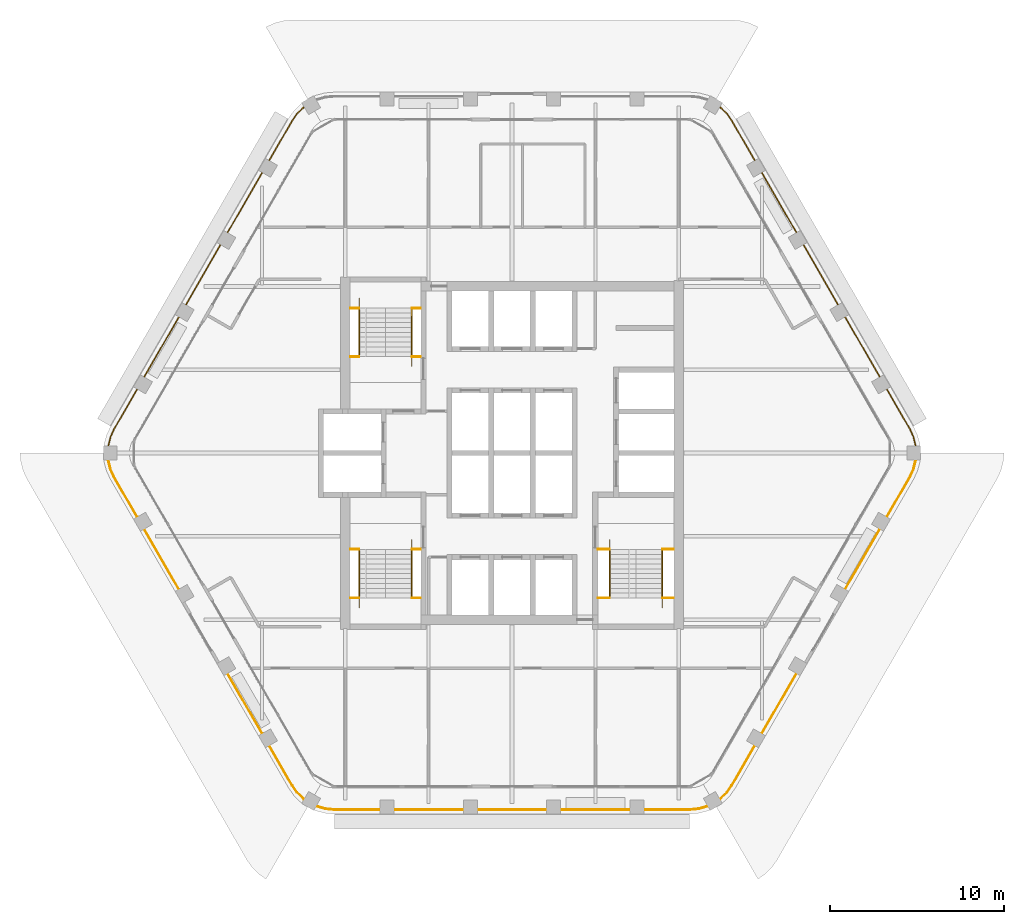
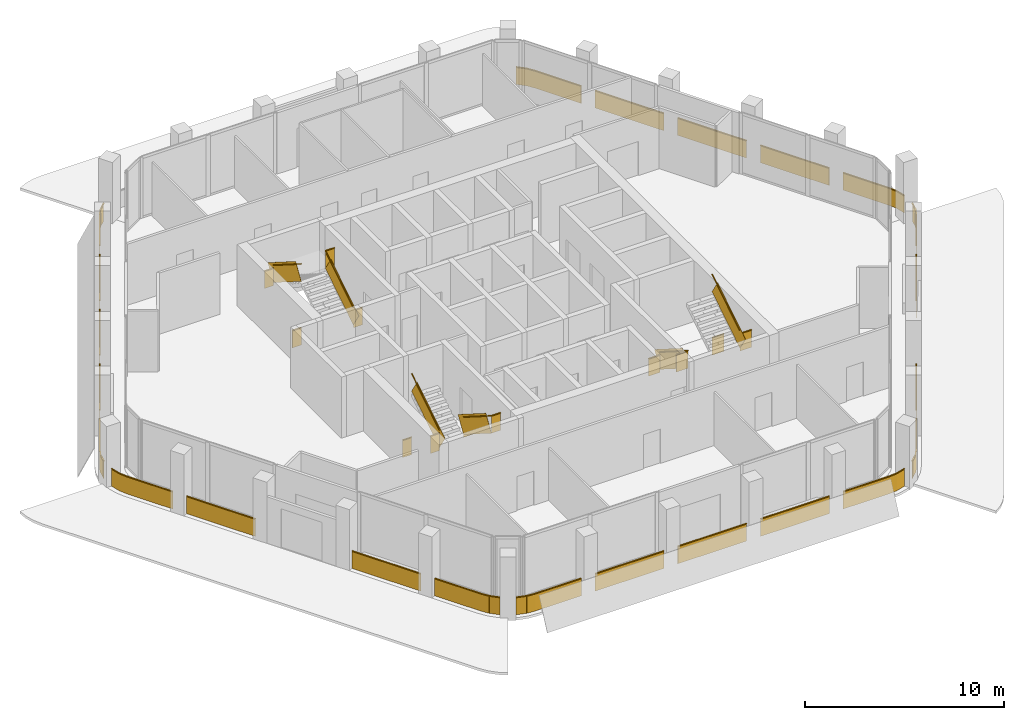
# One storey, part 13 of 14: 11 railings.
"""IFC4 building model written with IfcOpenShell, lengths in metres."""

from ifc_helpers import new_model, si_unit, direction, frame, frame_2d, origin, origin_2d, place, context, subcontext, project, spatial, rectangle, extrude, material, type_object, element, save


model = new_model("IFC4")

# Units and contexts
model_context = context("Model", 3, precision=1e-05, world=origin(), true_north=direction((0.0, 1.0)))
body_context = subcontext(model_context, "Body", "Model", "MODEL_VIEW")
ifc_project = project(units=[si_unit("LENGTHUNIT", "METRE"), si_unit("AREAUNIT", "SQUARE_METRE"), si_unit("VOLUMEUNIT", "CUBIC_METRE"), si_unit("PLANEANGLEUNIT", "RADIAN"), si_unit("MASSUNIT", "GRAM", prefix="KILO")], contexts=[model_context])

# Site, building, storey
site_placement = place(None, origin())
site = spatial("IfcSite", under=ifc_project, at=site_placement, CompositionType="ELEMENT")
building_placement = place(site_placement, origin())
building = spatial("IfcBuilding", under=site, at=building_placement, Name="Kolab Exchange Tower", CompositionType="ELEMENT")
storey_placement = place(building_placement, frame((0.0, 0.0, 222.800048828125)))
storey = spatial("IfcBuildingStorey", under=building, at=storey_placement, Name="L48", CompositionType="ELEMENT", Elevation=222.800048828125)

# Railings
ifc_material_1 = material(Name="Stainless steel 316", Category="steel")
railing_type_1 = type_object("IfcRailingType", Name="GUARD 1100", PredefinedType="GUARDRAIL", material=ifc_material_1)
railing_1_placement = place(storey_placement, frame((-9.324951171875, 5.550048828125, 0.0)))
element("IfcRailing", 1, at=railing_1_placement, inside=storey, type_object=railing_type_1, Name="Guard ST1", PredefinedType="GUARDRAIL", context=body_context, shape_type="SweptSolid", body=[
    extrude(rectangle(XDim=0.05, YDim=0.05, at=origin_2d()), frame((0.0, 0.0, 1.0751953125), z_axis=(1.0, 0.0, 0.0), x_axis=(0.0, 1.0, 0.0)), (0.0, 0.0, 1.0), 0.52734375),
    extrude(rectangle(XDim=0.012, YDim=1.05009765625, at=frame_2d((0.0, 0.525146484375))), frame((0.0, 0.0, 0.0), z_axis=(1.0, 0.0, 0.0), x_axis=(0.0, 1.0, 0.0)), (0.0, 0.0, 1.0), 0.52734375),
    extrude(rectangle(XDim=0.05, YDim=0.05, at=origin_2d()), frame((3.54736328125, 0.0, 1.0751953125), z_axis=(1.0, 0.0, 0.0), x_axis=(0.0, 1.0, 0.0)), (0.0, 0.0, 1.0), 0.527587890625),
    extrude(rectangle(XDim=0.012, YDim=1.05009765625, at=frame_2d((0.0, 0.525146484375))), frame((3.54736328125, 0.0, 0.0), z_axis=(1.0, 0.0, 0.0), x_axis=(0.0, 1.0, 0.0)), (0.0, 0.0, 1.0), 0.527587890625),
    extrude(rectangle(XDim=0.05, YDim=0.05, at=origin_2d()), frame((0.0, 2.800048828125, 3.025146484375), z_axis=(1.0, 0.0, 0.0), x_axis=(0.0, 1.0, 0.0)), (0.0, 0.0, 1.0), 0.52734375),
    extrude(rectangle(XDim=0.012, YDim=1.05009765625, at=frame_2d((0.0, 0.525146484375))), frame((0.0, 2.800048828125, 1.949951171875), z_axis=(1.0, 0.0, 0.0), x_axis=(0.0, 1.0, 0.0)), (0.0, 0.0, 1.0), 0.52734375),
    extrude(rectangle(XDim=0.05, YDim=0.05, at=origin_2d()), frame((3.54736328125, 2.800048828125, 3.025146484375), z_axis=(1.0, 0.0, 0.0), x_axis=(0.0, 1.0, 0.0)), (0.0, 0.0, 1.0), 0.527587890625),
    extrude(rectangle(XDim=0.012, YDim=1.05009765625, at=frame_2d((0.0, 0.525146484375))), frame((3.54736328125, 2.800048828125, 1.949951171875), z_axis=(1.0, 0.0, 0.0), x_axis=(0.0, 1.0, 0.0)), (0.0, 0.0, 1.0), 0.527587890625),
])
railing_2_placement = place(storey_placement, frame((-5.777587890625, 5.550048828125, 0.17724609375)))
element("IfcRailing", 2, at=railing_2_placement, inside=storey, type_object=railing_type_1, Name="Handrail guard ST1", PredefinedType="GUARDRAIL", context=body_context, shape_type="SweptSolid", body=[
    extrude(rectangle(XDim=0.05, YDim=0.05, at=origin_2d()), frame((0.0, 0.0, 1.0751953125), z_axis=(0.0, 0.844908973607, 0.534910110503), x_axis=(-1.0, 0.0, 0.0)), (0.0, 0.0, 1.0), 3.31396484375),
    extrude(rectangle(XDim=0.012, YDim=1.05009765625, at=frame_2d((0.0, 0.525146484375))), frame((0.0, 0.0, 0.0), z_axis=(0.0, 0.844908973607, 0.534910110503), x_axis=(-1.0, 0.0, 0.0)), (0.0, 0.0, 1.0), 3.31396484375),
    extrude(rectangle(XDim=0.05, YDim=0.05, at=origin_2d()), frame((-3.02001953125, 2.800048828125, 3.025146484375), z_axis=(0.0, -0.844908973607, 0.534910110503), x_axis=(1.0, 0.0, 0.0)), (0.0, 0.0, 1.0), 3.31396484375),
    extrude(rectangle(XDim=0.012, YDim=1.05009765625, at=frame_2d((0.0, 0.525146484375))), frame((-3.02001953125, 2.800048828125, 1.949951171875), z_axis=(0.0, -0.844908973607, 0.534910110503), x_axis=(1.0, 0.0, 0.0)), (0.0, 0.0, 1.0), 3.31396484375),
])
railing_3_placement = place(storey_placement, frame((-9.324951171875, -5.550048828125, 0.0)))
element("IfcRailing", 3, at=railing_3_placement, inside=storey, type_object=railing_type_1, Name="Guard ST3", PredefinedType="GUARDRAIL", context=body_context, shape_type="SweptSolid", body=[
    extrude(rectangle(XDim=0.05, YDim=0.05, at=origin_2d()), frame((0.0, 0.0, 1.0751953125), z_axis=(1.0, 0.0, 0.0), x_axis=(0.0, 1.0, 0.0)), (0.0, 0.0, 1.0), 0.52734375),
    extrude(rectangle(XDim=0.012, YDim=1.05009765625, at=frame_2d((0.0, 0.525146484375))), frame((0.0, 0.0, 0.0), z_axis=(1.0, 0.0, 0.0), x_axis=(0.0, 1.0, 0.0)), (0.0, 0.0, 1.0), 0.52734375),
    extrude(rectangle(XDim=0.05, YDim=0.05, at=origin_2d()), frame((3.54736328125, 0.0, 1.0751953125), z_axis=(1.0, 0.0, 0.0), x_axis=(0.0, 1.0, 0.0)), (0.0, 0.0, 1.0), 0.527587890625),
    extrude(rectangle(XDim=0.012, YDim=1.05009765625, at=frame_2d((0.0, 0.525146484375))), frame((3.54736328125, 0.0, 0.0), z_axis=(1.0, 0.0, 0.0), x_axis=(0.0, 1.0, 0.0)), (0.0, 0.0, 1.0), 0.527587890625),
    extrude(rectangle(XDim=0.05, YDim=0.05, at=origin_2d()), frame((0.0, -2.800048828125, 3.025146484375), z_axis=(1.0, 0.0, 0.0), x_axis=(0.0, 1.0, 0.0)), (0.0, 0.0, 1.0), 0.52734375),
    extrude(rectangle(XDim=0.012, YDim=1.05009765625, at=frame_2d((0.0, 0.525146484375))), frame((0.0, -2.800048828125, 1.949951171875), z_axis=(1.0, 0.0, 0.0), x_axis=(0.0, 1.0, 0.0)), (0.0, 0.0, 1.0), 0.52734375),
    extrude(rectangle(XDim=0.05, YDim=0.05, at=origin_2d()), frame((3.54736328125, -2.800048828125, 3.025146484375), z_axis=(1.0, 0.0, 0.0), x_axis=(0.0, 1.0, 0.0)), (0.0, 0.0, 1.0), 0.527587890625),
    extrude(rectangle(XDim=0.012, YDim=1.05009765625, at=frame_2d((0.0, 0.525146484375))), frame((3.54736328125, -2.800048828125, 1.949951171875), z_axis=(1.0, 0.0, 0.0), x_axis=(0.0, 1.0, 0.0)), (0.0, 0.0, 1.0), 0.527587890625),
])
railing_4_placement = place(storey_placement, frame((-5.777587890625, -5.550048828125, 0.17724609375)))
element("IfcRailing", 4, at=railing_4_placement, inside=storey, type_object=railing_type_1, Name="Handrail guard ST3", PredefinedType="GUARDRAIL", context=body_context, shape_type="SweptSolid", body=[
    extrude(rectangle(XDim=0.05, YDim=0.05, at=origin_2d()), frame((0.0, 0.0, 1.0751953125), z_axis=(0.0, -0.844908973607, 0.534910110503), x_axis=(1.0, 0.0, 0.0)), (0.0, 0.0, 1.0), 3.31396484375),
    extrude(rectangle(XDim=0.012, YDim=1.05009765625, at=frame_2d((0.0, 0.525146484375))), frame((0.0, 0.0, 0.0), z_axis=(0.0, -0.844908973607, 0.534910110503), x_axis=(1.0, 0.0, 0.0)), (0.0, 0.0, 1.0), 3.31396484375),
    extrude(rectangle(XDim=0.05, YDim=0.05, at=origin_2d()), frame((-3.02001953125, -2.800048828125, 3.025146484375), z_axis=(0.0, 0.844908973607, 0.534910110503), x_axis=(-1.0, 0.0, 0.0)), (0.0, 0.0, 1.0), 3.31396484375),
    extrude(rectangle(XDim=0.012, YDim=1.05009765625, at=frame_2d((0.0, 0.525146484375))), frame((-3.02001953125, -2.800048828125, 1.949951171875), z_axis=(0.0, 0.844908973607, 0.534910110503), x_axis=(-1.0, 0.0, 0.0)), (0.0, 0.0, 1.0), 3.31396484375),
])
railing_5_placement = place(storey_placement, frame((4.949951171875, -5.550048828125, 0.0)))
element("IfcRailing", 5, at=railing_5_placement, inside=storey, type_object=railing_type_1, Name="Guard ST2", PredefinedType="GUARDRAIL", context=body_context, shape_type="SweptSolid", body=[
    extrude(rectangle(XDim=0.05, YDim=0.05, at=origin_2d()), frame((0.0, 0.0, 1.0751953125), z_axis=(1.0, 0.0, 0.0), x_axis=(0.0, 1.0, 0.0)), (0.0, 0.0, 1.0), 0.677490234375),
    extrude(rectangle(XDim=0.012, YDim=1.05009765625, at=frame_2d((0.0, 0.525146484375))), frame((0.0, 0.0, 0.0), z_axis=(1.0, 0.0, 0.0), x_axis=(0.0, 1.0, 0.0)), (0.0, 0.0, 1.0), 0.677490234375),
    extrude(rectangle(XDim=0.05, YDim=0.05, at=origin_2d()), frame((3.697509765625, 0.0, 1.0751953125), z_axis=(1.0, 0.0, 0.0), x_axis=(0.0, 1.0, 0.0)), (0.0, 0.0, 1.0), 0.677490234375),
    extrude(rectangle(XDim=0.012, YDim=1.05009765625, at=frame_2d((0.0, 0.525146484375))), frame((3.697509765625, 0.0, 0.0), z_axis=(1.0, 0.0, 0.0), x_axis=(0.0, 1.0, 0.0)), (0.0, 0.0, 1.0), 0.677490234375),
    extrude(rectangle(XDim=0.05, YDim=0.05, at=origin_2d()), frame((0.0, -2.800048828125, 3.025146484375), z_axis=(1.0, 0.0, 0.0), x_axis=(0.0, 1.0, 0.0)), (0.0, 0.0, 1.0), 0.677490234375),
    extrude(rectangle(XDim=0.012, YDim=1.05009765625, at=frame_2d((0.0, 0.525146484375))), frame((0.0, -2.800048828125, 1.949951171875), z_axis=(1.0, 0.0, 0.0), x_axis=(0.0, 1.0, 0.0)), (0.0, 0.0, 1.0), 0.677490234375),
    extrude(rectangle(XDim=0.05, YDim=0.05, at=origin_2d()), frame((3.697509765625, -2.800048828125, 3.025146484375), z_axis=(1.0, 0.0, 0.0), x_axis=(0.0, 1.0, 0.0)), (0.0, 0.0, 1.0), 0.677490234375),
    extrude(rectangle(XDim=0.012, YDim=1.05009765625, at=frame_2d((0.0, 0.525146484375))), frame((3.697509765625, -2.800048828125, 1.949951171875), z_axis=(1.0, 0.0, 0.0), x_axis=(0.0, 1.0, 0.0)), (0.0, 0.0, 1.0), 0.677490234375),
])
railing_6_placement = place(storey_placement, frame((5.62744140625, -5.550048828125, 0.17724609375)))
element("IfcRailing", 6, at=railing_6_placement, inside=storey, type_object=railing_type_1, Name="Handrail guard ST2", PredefinedType="GUARDRAIL", context=body_context, shape_type="SweptSolid", body=[
    extrude(rectangle(XDim=0.05, YDim=0.05, at=origin_2d()), frame((0.0, 0.0, 1.0751953125), z_axis=(0.0, -0.844908973607, 0.534910110503), x_axis=(1.0, 0.0, 0.0)), (0.0, 0.0, 1.0), 3.31396484375),
    extrude(rectangle(XDim=0.012, YDim=1.05009765625, at=frame_2d((0.0, 0.525146484375))), frame((0.0, 0.0, 0.0), z_axis=(0.0, -0.844908973607, 0.534910110503), x_axis=(1.0, 0.0, 0.0)), (0.0, 0.0, 1.0), 3.31396484375),
    extrude(rectangle(XDim=0.05, YDim=0.05, at=origin_2d()), frame((3.02001953125, -2.800048828125, 3.025146484375), z_axis=(0.0, 0.844908973607, 0.534910110503), x_axis=(-1.0, 0.0, 0.0)), (0.0, 0.0, 1.0), 3.31396484375),
    extrude(rectangle(XDim=0.012, YDim=1.05009765625, at=frame_2d((0.0, 0.525146484375))), frame((3.02001953125, -2.800048828125, 1.949951171875), z_axis=(0.0, 0.844908973607, 0.534910110503), x_axis=(-1.0, 0.0, 0.0)), (0.0, 0.0, 1.0), 3.31396484375),
])
ifc_material_2 = material(Name="Steel S235", Category="steel")
railing_type_2 = type_object("IfcRailingType", Name="GUARD 1100 GLASS BALUSTRADE AND STEEL TOP RAIL", PredefinedType="GUARDRAIL", material=ifc_material_2)
railing_7_placement = place(storey_placement, frame((23.2509765625, 0.3984375, 0.0)))
element("IfcRailing", 7, at=railing_7_placement, inside=storey, type_object=railing_type_2, Name="Guard", PredefinedType="GUARDRAIL", context=body_context, shape_type="SweptSolid", body=[
    extrude(rectangle(XDim=0.05, YDim=0.05, at=origin_2d()), frame((0.0, 0.0, 1.0751953125), z_axis=(-0.234597748196, 0.972092534968, 0.0), x_axis=(-0.972092534968, -0.234597748196, 0.0)), (0.0, 0.0, 1.0), 0.557861328125),
    extrude(rectangle(XDim=0.012, YDim=1.05009765625, at=frame_2d((0.0, 0.525146484375))), frame((0.0, 0.0, 0.0), z_axis=(-0.234597748196, 0.972092534968, 0.0), x_axis=(-0.972092534968, -0.234597748196, 0.0)), (0.0, 0.0, 1.0), 0.557861328125),
    extrude(rectangle(XDim=0.05, YDim=0.05, at=origin_2d()), frame((-0.130859375, 0.542236328125, 1.0751953125), z_axis=(-0.422801802984, 0.906222177721, 0.0), x_axis=(-0.906222177721, -0.422801802984, 0.0)), (0.0, 0.0, 1.0), 0.479248046875),
    extrude(rectangle(XDim=0.012, YDim=1.05009765625, at=frame_2d((0.0, 0.525146484375))), frame((-0.130859375, 0.542236328125, 0.0), z_axis=(-0.422801802984, 0.906222177721, 0.0), x_axis=(-0.906222177721, -0.422801802984, 0.0)), (0.0, 0.0, 1.0), 0.479248046875),
    extrude(rectangle(XDim=0.05, YDim=0.05, at=origin_2d()), frame((-0.33349609375, 0.9765625, 1.0751953125), z_axis=(-0.499997052475, 0.866027105532, 0.0), x_axis=(-0.866027105532, -0.499997052475, 0.0)), (0.0, 0.0, 1.0), 2.66796875),
    extrude(rectangle(XDim=0.012, YDim=1.05009765625, at=frame_2d((0.0, 0.525146484375))), frame((-0.33349609375, 0.9765625, 0.0), z_axis=(-0.499997052475, 0.866027105532, 0.0), x_axis=(-0.866027105532, -0.499997052475, 0.0)), (0.0, 0.0, 1.0), 2.66796875),
    extrude(rectangle(XDim=0.05, YDim=0.05, at=origin_2d()), frame((-2.0673828125, 3.97998046875, 1.0751953125), z_axis=(-0.49999894854, 0.866026010844, 0.0), x_axis=(-0.866026010844, -0.49999894854, 0.0)), (0.0, 0.0, 1.0), 4.0),
    extrude(rectangle(XDim=0.012, YDim=1.05009765625, at=frame_2d((0.0, 0.525146484375))), frame((-2.0673828125, 3.97998046875, 0.0), z_axis=(-0.49999894854, 0.866026010844, 0.0), x_axis=(-0.866026010844, -0.49999894854, 0.0)), (0.0, 0.0, 1.0), 4.0),
    extrude(rectangle(XDim=0.05, YDim=0.05, at=origin_2d()), frame((-4.467529296875, 8.13671875, 1.0751953125), z_axis=(-0.49999894854, 0.866026010844, 0.0), x_axis=(-0.866026010844, -0.49999894854, 0.0)), (0.0, 0.0, 1.0), 4.0),
    extrude(rectangle(XDim=0.012, YDim=1.05009765625, at=frame_2d((0.0, 0.525146484375))), frame((-4.467529296875, 8.13671875, 0.0), z_axis=(-0.49999894854, 0.866026010844, 0.0), x_axis=(-0.866026010844, -0.49999894854, 0.0)), (0.0, 0.0, 1.0), 4.0),
    extrude(rectangle(XDim=0.05, YDim=0.05, at=origin_2d()), frame((-6.867431640625, 12.293701171875, 1.0751953125), z_axis=(-0.49999894854, 0.866026010844, 0.0), x_axis=(-0.866026010844, -0.49999894854, 0.0)), (0.0, 0.0, 1.0), 4.0),
    extrude(rectangle(XDim=0.012, YDim=1.05009765625, at=frame_2d((0.0, 0.525146484375))), frame((-6.867431640625, 12.293701171875, 0.0), z_axis=(-0.49999894854, 0.866026010844, 0.0), x_axis=(-0.866026010844, -0.49999894854, 0.0)), (0.0, 0.0, 1.0), 4.0),
    extrude(rectangle(XDim=0.05, YDim=0.05, at=origin_2d()), frame((-9.267578125, 16.45068359375, 1.0751953125), z_axis=(-0.499997052475, 0.866027105532, 0.0), x_axis=(-0.866027105532, -0.499997052475, 0.0)), (0.0, 0.0, 1.0), 2.66796875),
    extrude(rectangle(XDim=0.012, YDim=1.05009765625, at=frame_2d((0.0, 0.525146484375))), frame((-9.267578125, 16.45068359375, 0.0), z_axis=(-0.499997052475, 0.866027105532, 0.0), x_axis=(-0.866027105532, -0.499997052475, 0.0)), (0.0, 0.0, 1.0), 2.66796875),
    extrude(rectangle(XDim=0.05, YDim=0.05, at=origin_2d()), frame((-10.6015625, 18.76123046875, 1.0751953125), z_axis=(-0.573599091554, 0.819136180478, 0.0), x_axis=(-0.819136180478, -0.573599091554, 0.0)), (0.0, 0.0, 1.0), 0.479248046875),
    extrude(rectangle(XDim=0.012, YDim=1.05009765625, at=frame_2d((0.0, 0.525146484375))), frame((-10.6015625, 18.76123046875, 0.0), z_axis=(-0.573599091554, 0.819136180478, 0.0), x_axis=(-0.819136180478, -0.573599091554, 0.0)), (0.0, 0.0, 1.0), 0.479248046875),
    extrude(rectangle(XDim=0.05, YDim=0.05, at=origin_2d()), frame((-10.87646484375, 19.15380859375, 1.0751953125), z_axis=(-0.724189990991, 0.689600505327, 0.0), x_axis=(-0.689600505327, -0.724189990991, 0.0)), (0.0, 0.0, 1.0), 0.5576171875),
    extrude(rectangle(XDim=0.012, YDim=1.05009765625, at=frame_2d((0.0, 0.525146484375))), frame((-10.87646484375, 19.15380859375, 0.0), z_axis=(-0.724189990991, 0.689600505327, 0.0), x_axis=(-0.689600505327, -0.724189990991, 0.0)), (0.0, 0.0, 1.0), 0.5576171875),
])
railing_8_placement = place(storey_placement, frame((11.970703125, -19.936767578125, 0.0)))
element("IfcRailing", 8, at=railing_8_placement, inside=storey, type_object=railing_type_2, Name="Guard", PredefinedType="GUARDRAIL", context=body_context, shape_type="SweptSolid", body=[
    extrude(rectangle(XDim=0.05, YDim=0.05, at=origin_2d()), frame((0.0, 0.0, 1.0751953125), z_axis=(0.724189990991, 0.689600505327, 0.0), x_axis=(-0.689600505327, 0.724189990991, 0.0)), (0.0, 0.0, 1.0), 0.5576171875),
    extrude(rectangle(XDim=0.012, YDim=1.05009765625, at=frame_2d((0.0, 0.525146484375))), frame((0.0, 0.0, 0.0), z_axis=(0.724189990991, 0.689600505327, 0.0), x_axis=(-0.689600505327, 0.724189990991, 0.0)), (0.0, 0.0, 1.0), 0.5576171875),
    extrude(rectangle(XDim=0.05, YDim=0.05, at=origin_2d()), frame((0.40380859375, 0.384521484375, 1.0751953125), z_axis=(0.573599091554, 0.819136180478, 0.0), x_axis=(-0.819136180478, 0.573599091554, 0.0)), (0.0, 0.0, 1.0), 0.479248046875),
    extrude(rectangle(XDim=0.012, YDim=1.05009765625, at=frame_2d((0.0, 0.525146484375))), frame((0.40380859375, 0.384521484375, 0.0), z_axis=(0.573599091554, 0.819136180478, 0.0), x_axis=(-0.819136180478, 0.573599091554, 0.0)), (0.0, 0.0, 1.0), 0.479248046875),
    extrude(rectangle(XDim=0.05, YDim=0.05, at=origin_2d()), frame((0.6787109375, 0.777099609375, 1.0751953125), z_axis=(0.499997052475, 0.866027105532, 0.0), x_axis=(-0.866027105532, 0.499997052475, 0.0)), (0.0, 0.0, 1.0), 2.66796875),
    extrude(rectangle(XDim=0.012, YDim=1.05009765625, at=frame_2d((0.0, 0.525146484375))), frame((0.6787109375, 0.777099609375, 0.0), z_axis=(0.499997052475, 0.866027105532, 0.0), x_axis=(-0.866027105532, 0.499997052475, 0.0)), (0.0, 0.0, 1.0), 2.66796875),
    extrude(rectangle(XDim=0.05, YDim=0.05, at=origin_2d()), frame((2.412841796875, 3.780517578125, 1.0751953125), z_axis=(0.49999894854, 0.866026010844, 0.0), x_axis=(-0.866026010844, 0.49999894854, 0.0)), (0.0, 0.0, 1.0), 4.0),
    extrude(rectangle(XDim=0.012, YDim=1.05009765625, at=frame_2d((0.0, 0.525146484375))), frame((2.412841796875, 3.780517578125, 0.0), z_axis=(0.49999894854, 0.866026010844, 0.0), x_axis=(-0.866026010844, 0.49999894854, 0.0)), (0.0, 0.0, 1.0), 4.0),
    extrude(rectangle(XDim=0.05, YDim=0.05, at=origin_2d()), frame((7.212890625, 12.09423828125, 1.0751953125), z_axis=(0.49999894854, 0.866026010844, 0.0), x_axis=(-0.866026010844, 0.49999894854, 0.0)), (0.0, 0.0, 1.0), 4.0),
    extrude(rectangle(XDim=0.012, YDim=1.05009765625, at=frame_2d((0.0, 0.525146484375))), frame((7.212890625, 12.09423828125, 0.0), z_axis=(0.49999894854, 0.866026010844, 0.0), x_axis=(-0.866026010844, 0.49999894854, 0.0)), (0.0, 0.0, 1.0), 4.0),
    extrude(rectangle(XDim=0.05, YDim=0.05, at=origin_2d()), frame((9.61279296875, 16.251220703125, 1.0751953125), z_axis=(0.499997052475, 0.866027105532, 0.0), x_axis=(-0.866027105532, 0.499997052475, 0.0)), (0.0, 0.0, 1.0), 2.66796875),
    extrude(rectangle(XDim=0.012, YDim=1.05009765625, at=frame_2d((0.0, 0.525146484375))), frame((9.61279296875, 16.251220703125, 0.0), z_axis=(0.499997052475, 0.866027105532, 0.0), x_axis=(-0.866027105532, 0.499997052475, 0.0)), (0.0, 0.0, 1.0), 2.66796875),
    extrude(rectangle(XDim=0.05, YDim=0.05, at=origin_2d()), frame((10.94677734375, 18.561767578125, 1.0751953125), z_axis=(0.422801802984, 0.906222177721, 0.0), x_axis=(-0.906222177721, 0.422801802984, 0.0)), (0.0, 0.0, 1.0), 0.479248046875),
    extrude(rectangle(XDim=0.012, YDim=1.05009765625, at=frame_2d((0.0, 0.525146484375))), frame((10.94677734375, 18.561767578125, 0.0), z_axis=(0.422801802984, 0.906222177721, 0.0), x_axis=(-0.906222177721, 0.422801802984, 0.0)), (0.0, 0.0, 1.0), 0.479248046875),
    extrude(rectangle(XDim=0.05, YDim=0.05, at=origin_2d()), frame((11.1494140625, 18.99609375, 1.0751953125), z_axis=(0.234597748196, 0.972092534968, 0.0), x_axis=(-0.972092534968, 0.234597748196, 0.0)), (0.0, 0.0, 1.0), 0.557861328125),
    extrude(rectangle(XDim=0.012, YDim=1.05009765625, at=frame_2d((0.0, 0.525146484375))), frame((11.1494140625, 18.99609375, 0.0), z_axis=(0.234597748196, 0.972092534968, 0.0), x_axis=(-0.972092534968, 0.234597748196, 0.0)), (0.0, 0.0, 1.0), 0.557861328125),
])
railing_9_placement = place(storey_placement, frame((-11.280517578125, -20.335205078125, 0.0)))
element("IfcRailing", 9, at=railing_9_placement, inside=storey, type_object=railing_type_2, Name="Guard", PredefinedType="GUARDRAIL", context=body_context, shape_type="SweptSolid", body=[
    extrude(rectangle(XDim=0.05, YDim=0.05, at=origin_2d()), frame((0.0, 0.0, 1.0751953125), z_axis=(0.959212061764, -0.282687496304, 0.0), x_axis=(0.282687496304, 0.959212061764, 0.0)), (0.0, 0.0, 1.0), 0.557861328125),
    extrude(rectangle(XDim=0.012, YDim=1.05009765625, at=frame_2d((0.0, 0.525146484375))), frame((0.0, 0.0, 0.0), z_axis=(0.959212061764, -0.282687496304, 0.0), x_axis=(0.282687496304, 0.959212061764, 0.0)), (0.0, 0.0, 1.0), 0.557861328125),
    extrude(rectangle(XDim=0.05, YDim=0.05, at=origin_2d()), frame((0.53515625, -0.15771484375, 1.0751953125), z_axis=(0.996196482496, -0.087135344505, 0.0), x_axis=(0.087135344505, 0.996196482496, 0.0)), (0.0, 0.0, 1.0), 0.47900390625),
    extrude(rectangle(XDim=0.012, YDim=1.05009765625, at=frame_2d((0.0, 0.525146484375))), frame((0.53515625, -0.15771484375, 0.0), z_axis=(0.996196482496, -0.087135344505, 0.0), x_axis=(0.087135344505, 0.996196482496, 0.0)), (0.0, 0.0, 1.0), 0.47900390625),
    extrude(rectangle(XDim=0.05, YDim=0.05, at=origin_2d()), frame((1.012451171875, -0.199462890625, 1.0751953125), z_axis=(1.0, 0.0, 0.0), x_axis=(0.0, 1.0, 0.0)), (0.0, 0.0, 1.0), 2.66796875),
    extrude(rectangle(XDim=0.012, YDim=1.05009765625, at=frame_2d((0.0, 0.525146484375))), frame((1.012451171875, -0.199462890625, 0.0), z_axis=(1.0, 0.0, 0.0), x_axis=(0.0, 1.0, 0.0)), (0.0, 0.0, 1.0), 2.66796875),
    extrude(rectangle(XDim=0.05, YDim=0.05, at=origin_2d()), frame((4.48046875, -0.199462890625, 1.0751953125), z_axis=(1.0, 0.0, 0.0), x_axis=(0.0, 1.0, 0.0)), (0.0, 0.0, 1.0), 4.0),
    extrude(rectangle(XDim=0.012, YDim=1.05009765625, at=frame_2d((0.0, 0.525146484375))), frame((4.48046875, -0.199462890625, 0.0), z_axis=(1.0, 0.0, 0.0), x_axis=(0.0, 1.0, 0.0)), (0.0, 0.0, 1.0), 4.0),
    extrude(rectangle(XDim=0.05, YDim=0.05, at=origin_2d()), frame((9.280517578125, -0.199462890625, 1.0751953125), z_axis=(1.0, 0.0, 0.0), x_axis=(0.0, 1.0, 0.0)), (0.0, 0.0, 1.0), 4.0),
    extrude(rectangle(XDim=0.012, YDim=1.05009765625, at=frame_2d((0.0, 0.525146484375))), frame((9.280517578125, -0.199462890625, 0.0), z_axis=(1.0, 0.0, 0.0), x_axis=(0.0, 1.0, 0.0)), (0.0, 0.0, 1.0), 4.0),
    extrude(rectangle(XDim=0.05, YDim=0.05, at=origin_2d()), frame((14.08056640625, -0.199462890625, 1.0751953125), z_axis=(1.0, 0.0, 0.0), x_axis=(0.0, 1.0, 0.0)), (0.0, 0.0, 1.0), 4.0),
    extrude(rectangle(XDim=0.012, YDim=1.05009765625, at=frame_2d((0.0, 0.525146484375))), frame((14.08056640625, -0.199462890625, 0.0), z_axis=(1.0, 0.0, 0.0), x_axis=(0.0, 1.0, 0.0)), (0.0, 0.0, 1.0), 4.0),
    extrude(rectangle(XDim=0.05, YDim=0.05, at=origin_2d()), frame((18.880615234375, -0.199462890625, 1.0751953125), z_axis=(1.0, 0.0, 0.0), x_axis=(0.0, 1.0, 0.0)), (0.0, 0.0, 1.0), 2.66796875),
    extrude(rectangle(XDim=0.012, YDim=1.05009765625, at=frame_2d((0.0, 0.525146484375))), frame((18.880615234375, -0.199462890625, 0.0), z_axis=(1.0, 0.0, 0.0), x_axis=(0.0, 1.0, 0.0)), (0.0, 0.0, 1.0), 2.66796875),
    extrude(rectangle(XDim=0.05, YDim=0.05, at=origin_2d()), frame((21.548583984375, -0.199462890625, 1.0751953125), z_axis=(0.996196482496, 0.087135344505, 0.0), x_axis=(-0.087135344505, 0.996196482496, 0.0)), (0.0, 0.0, 1.0), 0.47900390625),
    extrude(rectangle(XDim=0.012, YDim=1.05009765625, at=frame_2d((0.0, 0.525146484375))), frame((21.548583984375, -0.199462890625, 0.0), z_axis=(0.996196482496, 0.087135344505, 0.0), x_axis=(-0.087135344505, 0.996196482496, 0.0)), (0.0, 0.0, 1.0), 0.47900390625),
    extrude(rectangle(XDim=0.05, YDim=0.05, at=origin_2d()), frame((22.02587890625, -0.15771484375, 1.0751953125), z_axis=(0.959212061764, 0.282687496304, 0.0), x_axis=(-0.282687496304, 0.959212061764, 0.0)), (0.0, 0.0, 1.0), 0.557861328125),
    extrude(rectangle(XDim=0.012, YDim=1.05009765625, at=frame_2d((0.0, 0.525146484375))), frame((22.02587890625, -0.15771484375, 0.0), z_axis=(0.959212061764, 0.282687496304, 0.0), x_axis=(-0.282687496304, 0.959212061764, 0.0)), (0.0, 0.0, 1.0), 0.557861328125),
])
railing_10_placement = place(storey_placement, frame((-23.2509765625, -0.3984375, 0.0)))
element("IfcRailing", 10, at=railing_10_placement, inside=storey, type_object=railing_type_2, Name="Guard", PredefinedType="GUARDRAIL", context=body_context, shape_type="SweptSolid", body=[
    extrude(rectangle(XDim=0.05, YDim=0.05, at=origin_2d()), frame((0.0, 0.0, 1.0751953125), z_axis=(0.234597748196, -0.972092534968, 0.0), x_axis=(0.972092534968, 0.234597748196, 0.0)), (0.0, 0.0, 1.0), 0.557861328125),
    extrude(rectangle(XDim=0.012, YDim=1.05009765625, at=frame_2d((0.0, 0.525146484375))), frame((0.0, 0.0, 0.0), z_axis=(0.234597748196, -0.972092534968, 0.0), x_axis=(0.972092534968, 0.234597748196, 0.0)), (0.0, 0.0, 1.0), 0.557861328125),
    extrude(rectangle(XDim=0.05, YDim=0.05, at=origin_2d()), frame((0.130859375, -0.542236328125, 1.0751953125), z_axis=(0.422801802984, -0.906222177721, 0.0), x_axis=(0.906222177721, 0.422801802984, 0.0)), (0.0, 0.0, 1.0), 0.479248046875),
    extrude(rectangle(XDim=0.012, YDim=1.05009765625, at=frame_2d((0.0, 0.525146484375))), frame((0.130859375, -0.542236328125, 0.0), z_axis=(0.422801802984, -0.906222177721, 0.0), x_axis=(0.906222177721, 0.422801802984, 0.0)), (0.0, 0.0, 1.0), 0.479248046875),
    extrude(rectangle(XDim=0.05, YDim=0.05, at=origin_2d()), frame((0.33349609375, -0.9765625, 1.0751953125), z_axis=(0.499997052475, -0.866027105532, 0.0), x_axis=(0.866027105532, 0.499997052475, 0.0)), (0.0, 0.0, 1.0), 2.66796875),
    extrude(rectangle(XDim=0.012, YDim=1.05009765625, at=frame_2d((0.0, 0.525146484375))), frame((0.33349609375, -0.9765625, 0.0), z_axis=(0.499997052475, -0.866027105532, 0.0), x_axis=(0.866027105532, 0.499997052475, 0.0)), (0.0, 0.0, 1.0), 2.66796875),
    extrude(rectangle(XDim=0.05, YDim=0.05, at=origin_2d()), frame((2.0673828125, -3.97998046875, 1.0751953125), z_axis=(0.49999894854, -0.866026010844, 0.0), x_axis=(0.866026010844, 0.49999894854, 0.0)), (0.0, 0.0, 1.0), 4.0),
    extrude(rectangle(XDim=0.012, YDim=1.05009765625, at=frame_2d((0.0, 0.525146484375))), frame((2.0673828125, -3.97998046875, 0.0), z_axis=(0.49999894854, -0.866026010844, 0.0), x_axis=(0.866026010844, 0.49999894854, 0.0)), (0.0, 0.0, 1.0), 4.0),
    extrude(rectangle(XDim=0.05, YDim=0.05, at=origin_2d()), frame((6.867431640625, -12.293701171875, 1.0751953125), z_axis=(0.49999894854, -0.866026010844, 0.0), x_axis=(0.866026010844, 0.49999894854, 0.0)), (0.0, 0.0, 1.0), 4.0),
    extrude(rectangle(XDim=0.012, YDim=1.05009765625, at=frame_2d((0.0, 0.525146484375))), frame((6.867431640625, -12.293701171875, 0.0), z_axis=(0.49999894854, -0.866026010844, 0.0), x_axis=(0.866026010844, 0.49999894854, 0.0)), (0.0, 0.0, 1.0), 4.0),
    extrude(rectangle(XDim=0.05, YDim=0.05, at=origin_2d()), frame((9.267578125, -16.45068359375, 1.0751953125), z_axis=(0.499997052475, -0.866027105532, 0.0), x_axis=(0.866027105532, 0.499997052475, 0.0)), (0.0, 0.0, 1.0), 2.66796875),
    extrude(rectangle(XDim=0.012, YDim=1.05009765625, at=frame_2d((0.0, 0.525146484375))), frame((9.267578125, -16.45068359375, 0.0), z_axis=(0.499997052475, -0.866027105532, 0.0), x_axis=(0.866027105532, 0.499997052475, 0.0)), (0.0, 0.0, 1.0), 2.66796875),
    extrude(rectangle(XDim=0.05, YDim=0.05, at=origin_2d()), frame((10.6015625, -18.76123046875, 1.0751953125), z_axis=(0.573599091554, -0.819136180478, 0.0), x_axis=(0.819136180478, 0.573599091554, 0.0)), (0.0, 0.0, 1.0), 0.479248046875),
    extrude(rectangle(XDim=0.012, YDim=1.05009765625, at=frame_2d((0.0, 0.525146484375))), frame((10.6015625, -18.76123046875, 0.0), z_axis=(0.573599091554, -0.819136180478, 0.0), x_axis=(0.819136180478, 0.573599091554, 0.0)), (0.0, 0.0, 1.0), 0.479248046875),
    extrude(rectangle(XDim=0.05, YDim=0.05, at=origin_2d()), frame((10.87646484375, -19.15380859375, 1.0751953125), z_axis=(0.724189990991, -0.689600505327, 0.0), x_axis=(0.689600505327, 0.724189990991, 0.0)), (0.0, 0.0, 1.0), 0.5576171875),
    extrude(rectangle(XDim=0.012, YDim=1.05009765625, at=frame_2d((0.0, 0.525146484375))), frame((10.87646484375, -19.15380859375, 0.0), z_axis=(0.724189990991, -0.689600505327, 0.0), x_axis=(0.689600505327, 0.724189990991, 0.0)), (0.0, 0.0, 1.0), 0.5576171875),
])
railing_11_placement = place(storey_placement, frame((-11.970703125, 19.936767578125, 0.0)))
element("IfcRailing", 11, at=railing_11_placement, inside=storey, type_object=railing_type_2, Name="Guard", PredefinedType="GUARDRAIL", context=body_context, shape_type="SweptSolid", body=[
    extrude(rectangle(XDim=0.05, YDim=0.05, at=origin_2d()), frame((0.0, 0.0, 1.0751953125), z_axis=(-0.724189990991, -0.689600505327, 0.0), x_axis=(0.689600505327, -0.724189990991, 0.0)), (0.0, 0.0, 1.0), 0.5576171875),
    extrude(rectangle(XDim=0.012, YDim=1.05009765625, at=frame_2d((0.0, 0.525146484375))), frame((0.0, 0.0, 0.0), z_axis=(-0.724189990991, -0.689600505327, 0.0), x_axis=(0.689600505327, -0.724189990991, 0.0)), (0.0, 0.0, 1.0), 0.5576171875),
    extrude(rectangle(XDim=0.05, YDim=0.05, at=origin_2d()), frame((-0.40380859375, -0.384521484375, 1.0751953125), z_axis=(-0.573599091554, -0.819136180478, 0.0), x_axis=(0.819136180478, -0.573599091554, 0.0)), (0.0, 0.0, 1.0), 0.479248046875),
    extrude(rectangle(XDim=0.012, YDim=1.05009765625, at=frame_2d((0.0, 0.525146484375))), frame((-0.40380859375, -0.384521484375, 0.0), z_axis=(-0.573599091554, -0.819136180478, 0.0), x_axis=(0.819136180478, -0.573599091554, 0.0)), (0.0, 0.0, 1.0), 0.479248046875),
    extrude(rectangle(XDim=0.05, YDim=0.05, at=origin_2d()), frame((-0.6787109375, -0.777099609375, 1.0751953125), z_axis=(-0.499997052475, -0.866027105532, 0.0), x_axis=(0.866027105532, -0.499997052475, 0.0)), (0.0, 0.0, 1.0), 2.66796875),
    extrude(rectangle(XDim=0.012, YDim=1.05009765625, at=frame_2d((0.0, 0.525146484375))), frame((-0.6787109375, -0.777099609375, 0.0), z_axis=(-0.499997052475, -0.866027105532, 0.0), x_axis=(0.866027105532, -0.499997052475, 0.0)), (0.0, 0.0, 1.0), 2.66796875),
    extrude(rectangle(XDim=0.05, YDim=0.05, at=origin_2d()), frame((-2.412841796875, -3.780517578125, 1.0751953125), z_axis=(-0.49999894854, -0.866026010844, 0.0), x_axis=(0.866026010844, -0.49999894854, 0.0)), (0.0, 0.0, 1.0), 4.0),
    extrude(rectangle(XDim=0.012, YDim=1.05009765625, at=frame_2d((0.0, 0.525146484375))), frame((-2.412841796875, -3.780517578125, 0.0), z_axis=(-0.49999894854, -0.866026010844, 0.0), x_axis=(0.866026010844, -0.49999894854, 0.0)), (0.0, 0.0, 1.0), 4.0),
    extrude(rectangle(XDim=0.05, YDim=0.05, at=origin_2d()), frame((-4.812744140625, -7.9375, 1.0751953125), z_axis=(-0.49999894854, -0.866026010844, 0.0), x_axis=(0.866026010844, -0.49999894854, 0.0)), (0.0, 0.0, 1.0), 4.0),
    extrude(rectangle(XDim=0.012, YDim=1.05009765625, at=frame_2d((0.0, 0.525146484375))), frame((-4.812744140625, -7.9375, 0.0), z_axis=(-0.49999894854, -0.866026010844, 0.0), x_axis=(0.866026010844, -0.49999894854, 0.0)), (0.0, 0.0, 1.0), 4.0),
    extrude(rectangle(XDim=0.05, YDim=0.05, at=origin_2d()), frame((-7.212890625, -12.09423828125, 1.0751953125), z_axis=(-0.49999894854, -0.866026010844, 0.0), x_axis=(0.866026010844, -0.49999894854, 0.0)), (0.0, 0.0, 1.0), 4.0),
    extrude(rectangle(XDim=0.012, YDim=1.05009765625, at=frame_2d((0.0, 0.525146484375))), frame((-7.212890625, -12.09423828125, 0.0), z_axis=(-0.49999894854, -0.866026010844, 0.0), x_axis=(0.866026010844, -0.49999894854, 0.0)), (0.0, 0.0, 1.0), 4.0),
    extrude(rectangle(XDim=0.05, YDim=0.05, at=origin_2d()), frame((-9.61279296875, -16.251220703125, 1.0751953125), z_axis=(-0.499997052475, -0.866027105532, 0.0), x_axis=(0.866027105532, -0.499997052475, 0.0)), (0.0, 0.0, 1.0), 2.66796875),
    extrude(rectangle(XDim=0.012, YDim=1.05009765625, at=frame_2d((0.0, 0.525146484375))), frame((-9.61279296875, -16.251220703125, 0.0), z_axis=(-0.499997052475, -0.866027105532, 0.0), x_axis=(0.866027105532, -0.499997052475, 0.0)), (0.0, 0.0, 1.0), 2.66796875),
    extrude(rectangle(XDim=0.05, YDim=0.05, at=origin_2d()), frame((-10.94677734375, -18.561767578125, 1.0751953125), z_axis=(-0.422801802984, -0.906222177721, 0.0), x_axis=(0.906222177721, -0.422801802984, 0.0)), (0.0, 0.0, 1.0), 0.479248046875),
    extrude(rectangle(XDim=0.012, YDim=1.05009765625, at=frame_2d((0.0, 0.525146484375))), frame((-10.94677734375, -18.561767578125, 0.0), z_axis=(-0.422801802984, -0.906222177721, 0.0), x_axis=(0.906222177721, -0.422801802984, 0.0)), (0.0, 0.0, 1.0), 0.479248046875),
    extrude(rectangle(XDim=0.05, YDim=0.05, at=origin_2d()), frame((-11.1494140625, -18.99609375, 1.0751953125), z_axis=(-0.234597748196, -0.972092534968, 0.0), x_axis=(0.972092534968, -0.234597748196, 0.0)), (0.0, 0.0, 1.0), 0.557861328125),
    extrude(rectangle(XDim=0.012, YDim=1.05009765625, at=frame_2d((0.0, 0.525146484375))), frame((-11.1494140625, -18.99609375, 0.0), z_axis=(-0.234597748196, -0.972092534968, 0.0), x_axis=(0.972092534968, -0.234597748196, 0.0)), (0.0, 0.0, 1.0), 0.557861328125),
])

save(model, "model.ifc")
